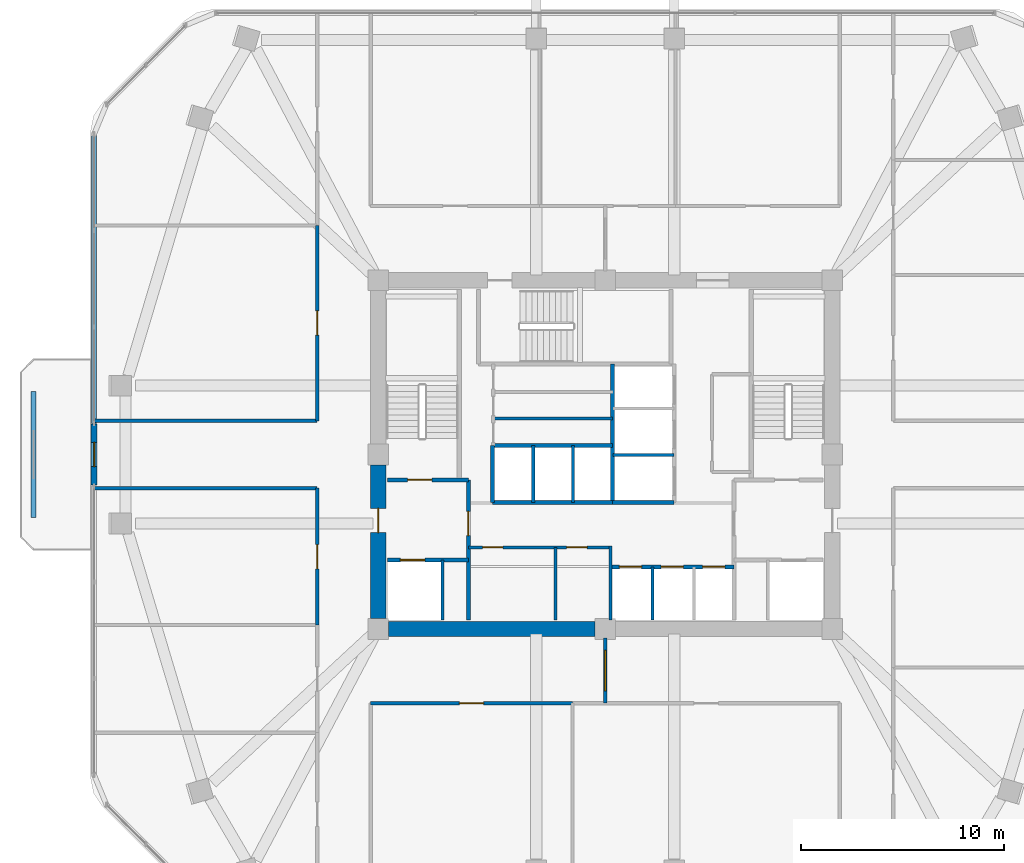
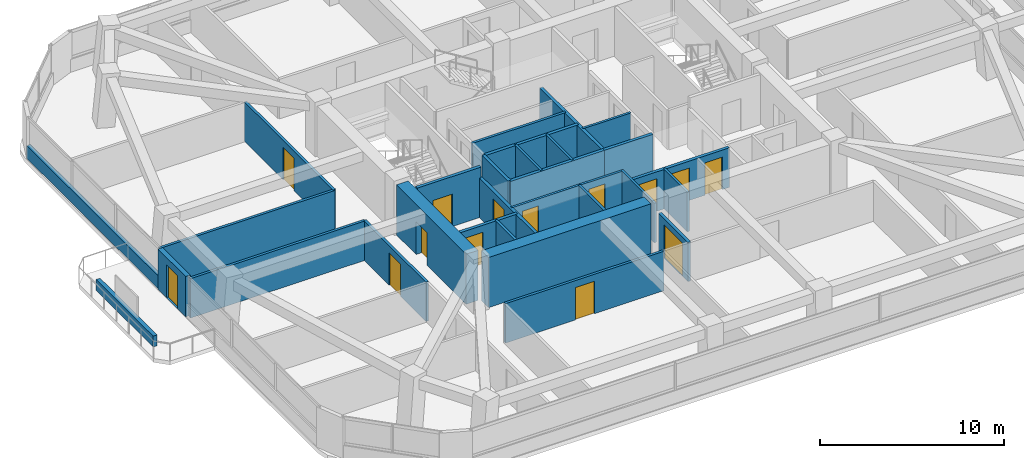
# One storey, part 10 of 14: 29 walls, 14 doors, 14 openings.
"""IFC4 building model written with IfcOpenShell, lengths in metres."""

import ifcopenshell
import ifcopenshell.guid

model = None  # the IFC model being written
_history = None  # IfcOwnerHistory: only IFC2X3 demands one
_inside = {}  # id of a spatial element -> (the spatial element, [elements in it])
_under = {}  # id of a project, library or spatial element -> (it, [spatial elements below it])
_declared = {}  # id of a project -> (the project, [libraries it declares])
_typed = {}  # id of a type object -> (the type object, [elements of that type])
_made_of = {}  # id of a material, layer set ... -> (it, [elements and type objects made of it])


def new_model(schema):
    """Start an empty IFC model of exactly this schema.

    Asked for "IFC4X3", IfcOpenShell would pick the latest addendum, in which some entities
    have other attributes; the version numbers below select the first issue.
    IFC2X3 requires an IfcOwnerHistory on every rooted entity: one is made here for all.
    """
    global model, _history
    if schema == "IFC4X3":
        model = ifcopenshell.file(schema_version=(4, 3, 0, 0))
    else:
        model = ifcopenshell.file(schema=schema)
    _inside.clear()
    _under.clear()
    _declared.clear()
    _typed.clear()
    _made_of.clear()
    _history = None
    if model.schema == "IFC2X3":
        org = make("IfcOrganization", Name="unknown")
        user = make(
            "IfcPersonAndOrganization",
            ThePerson=make("IfcPerson", FamilyName="unknown"),
            TheOrganization=org,
        )
        app = make(
            "IfcApplication",
            ApplicationDeveloper=org,
            Version="unknown",
            ApplicationFullName="unknown",
            ApplicationIdentifier="unknown",
        )
        _history = make(
            "IfcOwnerHistory",
            OwningUser=user,
            OwningApplication=app,
            ChangeAction="ADDED",
            CreationDate=0,
        )
    return model


def make(cls, **values):
    """One entity of the class cls with the attributes given. An attribute that is None is left unset."""
    return model.create_entity(
        cls, **{name: value for name, value in values.items() if value is not None}
    )


def rooted(cls, **values):
    """An entity with a GlobalId (a new one), such as an element, a storey or a relation."""
    return make(cls, GlobalId=ifcopenshell.guid.new(), OwnerHistory=_history, **values)


def si_unit(unit_type, name, prefix=None):
    """IfcSIUnit, for example si_unit("LENGTHUNIT", "METRE", prefix="MILLI")."""
    return make("IfcSIUnit", UnitType=unit_type, Prefix=prefix, Name=name)


def derived_unit(unit_type, elements):
    """IfcDerivedUnit: a product of units, each with its exponent."""
    return make(
        "IfcDerivedUnit",
        Elements=[
            make("IfcDerivedUnitElement", Unit=unit, Exponent=power)
            for unit, power in elements
        ],
        UnitType=unit_type,
    )


def assignment(units):
    """IfcUnitAssignment: the units of a project."""
    return None if units is None else make("IfcUnitAssignment", Units=units)


def point(xyz):
    """IfcCartesianPoint."""
    return None if xyz is None else make("IfcCartesianPoint", Coordinates=xyz)


def direction(xyz):
    """IfcDirection."""
    return None if xyz is None else make("IfcDirection", DirectionRatios=xyz)


def frame(location, z_axis=None, x_axis=None):
    """IfcAxis2Placement3D, a coordinate frame: its origin and axes. An axis left out is left unset."""
    return make(
        "IfcAxis2Placement3D",
        Location=point(location),
        Axis=direction(z_axis),
        RefDirection=direction(x_axis),
    )


def frame_2d(location, x_axis=None):
    """IfcAxis2Placement2D, a coordinate frame in the plane: its origin and x axis."""
    return make(
        "IfcAxis2Placement2D", Location=point(location), RefDirection=direction(x_axis)
    )


def origin():
    """The frame at (0, 0, 0) with its axes left unset."""
    return frame((0.0, 0.0, 0.0))


def place(relative_to, where):
    """IfcLocalPlacement: puts the frame where relative to a parent placement (None: the world)."""
    return make(
        "IfcLocalPlacement", PlacementRelTo=relative_to, RelativePlacement=where
    )


def context(
    kind, dimensions, precision=None, world=None, true_north=None, identifier=None
):
    """IfcGeometricRepresentationContext, for example the 3D "Model" context."""
    return make(
        "IfcGeometricRepresentationContext",
        ContextIdentifier=identifier,
        ContextType=kind,
        CoordinateSpaceDimension=dimensions,
        Precision=precision,
        WorldCoordinateSystem=world,
        TrueNorth=true_north,
    )


def subcontext(parent, identifier, kind, view, scale=None):
    """IfcGeometricRepresentationSubContext, for example "Body" below "Model"."""
    return make(
        "IfcGeometricRepresentationSubContext",
        ContextIdentifier=identifier,
        ContextType=kind,
        ParentContext=parent,
        TargetScale=scale,
        TargetView=view,
    )


def project(units=None, contexts=None):
    """IfcProject with its units and contexts."""
    return rooted(
        "IfcProject",
        Name="project",
        RepresentationContexts=contexts,
        UnitsInContext=assignment(units),
    )


def spatial(cls, under=None, at=None, **own):
    """A site, building, storey or space (cls), placed at a placement, below another one or the project."""
    s = rooted(cls, ObjectPlacement=at, **own)
    if under is not None:
        _under.setdefault(under.id(), (under, []))[1].append(s)
    return s


def profile(cls, at=None, kind="AREA", **sizes):
    """A parametric profile (cls). Its sizes go by their IFC names, for example OverallWidth=200.0."""
    return make(cls, ProfileType=kind, Position=at, **sizes)


def rectangle(**sizes):
    """IfcRectangleProfileDef."""
    return profile("IfcRectangleProfileDef", **sizes)


def extrude(swept, where, along, depth):
    """IfcExtrudedAreaSolid: the profile swept, set in the frame where, extruded along a direction by depth."""
    return make(
        "IfcExtrudedAreaSolid",
        SweptArea=swept,
        Position=where,
        ExtrudedDirection=direction(along),
        Depth=depth,
    )


def shape(context_of_items, identifier, shape_type, items):
    """IfcShapeRepresentation: the items that make up one representation, for example the "Body"."""
    return make(
        "IfcShapeRepresentation",
        ContextOfItems=context_of_items,
        RepresentationIdentifier=identifier,
        RepresentationType=shape_type,
        Items=items,
    )


def material(Name=None, Category=None):
    """IfcMaterial."""
    return make("IfcMaterial", Name=Name, Category=Category)


def layer(
    of_material, thickness, ventilated=None, Name=None, Category=None, Priority=None
):
    """IfcMaterialLayer: one layer of a wall or slab, of a material (None: an air gap)."""
    return make(
        "IfcMaterialLayer",
        Material=of_material,
        LayerThickness=thickness,
        IsVentilated=ventilated,
        Name=Name,
        Category=Category,
        Priority=Priority,
    )


def layer_set(layers, Name=None):
    """IfcMaterialLayerSet."""
    return make("IfcMaterialLayerSet", MaterialLayers=layers, LayerSetName=Name)


def made_of(thing, what):
    """Note that an element or type object is made of a material, layer set ...; save() writes the relation."""
    if what is not None:
        _made_of.setdefault(what.id(), (what, []))[1].append(thing)
    return thing


def type_object(cls, material=None, **own):
    """A type object (cls), such as IfcWallType, which elements share."""
    return made_of(rooted(cls, **own), material)


def element(
    cls,
    number,
    at=None,
    inside=None,
    cuts=None,
    type_object=None,
    material=None,
    context=None,
    identifier="Body",
    shape_type=None,
    held_by="IfcProductDefinitionShape",
    body=None,
    shapes=None,
    **own,
):
    """One element of the class cls, such as IfcWall. Its Tag is "e" and its number.

    at: its placement. inside: the storey or other place that contains it. cuts: it is an
    opening in that element (IfcRelVoidsElement). A single representation is given by context,
    identifier, shape_type and body (its items); several are given by shapes. held_by: the class
    of the entity that holds the representations. save() writes the other relations.
    """
    e = rooted(cls, Tag="e%d" % number, ObjectPlacement=at, **own)
    if body is not None:
        shapes = [shape(context, identifier, shape_type, body)]
    if shapes is not None:
        e.Representation = make(held_by, Representations=shapes)
    if inside is not None:
        _inside.setdefault(inside.id(), (inside, []))[1].append(e)
    if cuts is not None:
        rooted(
            "IfcRelVoidsElement", RelatingBuildingElement=cuts, RelatedOpeningElement=e
        )
    if type_object is not None:
        _typed.setdefault(type_object.id(), (type_object, []))[1].append(e)
    return made_of(e, material)


def fill(opening, filler):
    """IfcRelFillsElement: the door or window that sits in an opening."""
    return rooted(
        "IfcRelFillsElement",
        RelatingOpeningElement=opening,
        RelatedBuildingElement=filler,
    )


def aggregate(whole, parts):
    """IfcRelAggregates: a whole, such as a stair, and the parts it consists of."""
    return rooted("IfcRelAggregates", RelatingObject=whole, RelatedObjects=parts)


def save(model, path):
    """Write the relations noted so far, then the file.

    IfcRelAggregates (storeys below a building ...), IfcRelContainedInSpatialStructure (elements
    in a storey), IfcRelDefinesByType, IfcRelAssociatesMaterial and IfcRelDeclares: one each for
    every whole, place, type object, material and project.
    """
    for whole, parts in _under.values():
        aggregate(whole, parts)
    for where, things in _inside.values():
        rooted(
            "IfcRelContainedInSpatialStructure",
            RelatedElements=things,
            RelatingStructure=where,
        )
    for kind, things in _typed.values():
        rooted("IfcRelDefinesByType", RelatedObjects=things, RelatingType=kind)
    for what, things in _made_of.values():
        rooted("IfcRelAssociatesMaterial", RelatedObjects=things, RelatingMaterial=what)
    for by, libraries in _declared.values():
        rooted("IfcRelDeclares", RelatingContext=by, RelatedDefinitions=libraries)
    model.write(path)


model = new_model("IFC4")

# Units and contexts
model_context = context("Model", 3, precision=1e-05, world=origin(), true_north=direction((0.0, 1.0)))
body_context = subcontext(model_context, "Body", "Model", "MODEL_VIEW")
ifc_project = project(units=[si_unit("LENGTHUNIT", "METRE"), si_unit("AREAUNIT", "SQUARE_METRE"), si_unit("VOLUMEUNIT", "CUBIC_METRE"), si_unit("PLANEANGLEUNIT", "RADIAN"), si_unit("MASSUNIT", "GRAM", prefix="KILO"), derived_unit("THERMALTRANSMITTANCEUNIT", [(si_unit("POWERUNIT", "WATT"), 1), (si_unit("LENGTHUNIT", "METRE"), -2), (si_unit("THERMODYNAMICTEMPERATUREUNIT", "KELVIN"), -1)])], contexts=[model_context])

# Site, building, storey
site_placement = place(None, origin())
site = spatial("IfcSite", under=ifc_project, at=site_placement, CompositionType="ELEMENT")
building_placement = place(site_placement, origin())
building = spatial("IfcBuilding", under=site, at=building_placement, Name="Koralith Skygarden Medical Center", CompositionType="ELEMENT")
storey_placement = place(building_placement, frame((0.0, 0.0, 106.3798828125)))
storey = spatial("IfcBuildingStorey", under=building, at=storey_placement, Name="L27", CompositionType="ELEMENT", Elevation=106.3798828125)

# Wall, openings, doors
ifc_material_1 = material(Name="Gypsum Board Partition")
ifc_layer_1 = layer(ifc_material_1, 0.14990234375)
ifc_layer_set_1 = layer_set([ifc_layer_1], Name="Gypsum Board Partition")
wall_type_1 = type_object("IfcWallType", Name="Clinical Acoustic Partition 150", PredefinedType="PARTITIONING", material=ifc_layer_set_1)
wall_1_placement = place(storey_placement, frame((30.25, 21.320068359375, 0.0), z_axis=(0.0, 0.0, 1.0), x_axis=(1.0, 0.0, 0.0)))
wall_1 = element("IfcWall", 1, at=wall_1_placement, inside=storey, type_object=wall_type_1, Name="L27 Clinical Acoustic Partition 150 W-CORE-L27-FREED-LR-N", PredefinedType="PARTITIONING", context=body_context, shape_type="SweptSolid", body=[
    extrude(rectangle(XDim=7.0, YDim=0.14990234375, at=frame_2d((3.5, 0.0))), origin(), (0.0, 0.0, 1.0), 2.610107421875),
])
opening_1_placement = place(wall_1_placement, frame((0.699951171875, 0.0, 0.0)))
opening_1 = element("IfcOpeningElement", 2, at=opening_1_placement, cuts=wall_1, Name="Opening D-SUP", PredefinedType="OPENING", context=body_context, shape_type="SweptSolid", body=[
    extrude(rectangle(XDim=1.0, YDim=2.14990234375, at=frame_2d((0.5, 1.074951171875))), frame((0.0, 0.0849609375, 0.0), z_axis=(0.0, -1.0, 0.0), x_axis=(1.0, 0.0, 0.0)), (0.0, 0.0, 1.0), 0.169921875),
])
opening_2_placement = place(wall_1_placement, frame((4.85009765625, 0.0, 0.0)))
opening_2 = element("IfcOpeningElement", 3, at=opening_2_placement, cuts=wall_1, Name="Opening D-SUP", PredefinedType="OPENING", context=body_context, shape_type="SweptSolid", body=[
    extrude(rectangle(XDim=1.0, YDim=2.14990234375, at=frame_2d((0.5, 1.074951171875))), frame((0.0, 0.0849609375, 0.0), z_axis=(0.0, -1.0, 0.0), x_axis=(1.0, 0.0, 0.0)), (0.0, 0.0, 1.0), 0.169921875),
])
ifc_material_2 = material(Name="Aluminium 6063-T6", Category="aluminium")
door_type_1 = type_object("IfcDoorType", Name="Clinical Support Door D-SUP 1000", OperationType="NOTDEFINED", PredefinedType="DOOR", material=ifc_material_2)
door_1_placement = place(opening_1_placement, frame((1.0, 0.0, 0.0), z_axis=(0.0, 0.0, 1.0), x_axis=(-1.0, 0.0, 0.0)))
door_1 = element("IfcDoor", 4, at=door_1_placement, inside=storey, type_object=door_type_1, Name="L27 Medication Preparation Door", OperationType="SINGLE_SWING_LEFT", OverallHeight=2.14990234375, OverallWidth=1.0, PredefinedType="DOOR", context=body_context, shape_type="SweptSolid", body=[
    extrude(rectangle(XDim=1.0, YDim=2.14990234375, at=frame_2d((0.5, 1.074951171875))), frame((0.0, 0.02490234375, 0.0), z_axis=(0.0, -1.0, 0.0), x_axis=(1.0, 0.0, 0.0)), (0.0, 0.0, 1.0), 0.050048828125),
])
fill(opening_1, door_1)
door_2_placement = place(opening_2_placement, frame((1.0, 0.0, 0.0), z_axis=(0.0, 0.0, 1.0), x_axis=(-1.0, 0.0, 0.0)))
door_2 = element("IfcDoor", 5, at=door_2_placement, inside=storey, type_object=door_type_1, Name="L27 Telemetry Room Door", OperationType="SINGLE_SWING_RIGHT", OverallHeight=2.14990234375, OverallWidth=1.0, PredefinedType="DOOR", context=body_context, shape_type="SweptSolid", body=[
    extrude(rectangle(XDim=1.0, YDim=2.14990234375, at=frame_2d((0.5, 1.074951171875))), frame((0.0, 0.02490234375, 0.0), z_axis=(0.0, -1.0, 0.0), x_axis=(1.0, 0.0, 0.0)), (0.0, 0.0, 1.0), 0.050048828125),
])
fill(opening_2, door_2)

# Walls
wall_2_placement = place(storey_placement, frame((34.550048828125, 17.75, 0.0), z_axis=(0.0, 0.0, 1.0), x_axis=(0.0, 1.0, 0.0)))
element("IfcWall", 6, at=wall_2_placement, inside=storey, type_object=wall_type_1, Name="L27 Clinical Acoustic Partition 150 W-CORE-L27-FREED-LR-M", PredefinedType="PARTITIONING", context=body_context, shape_type="SweptSolid", body=[
    extrude(rectangle(XDim=3.570068359375, YDim=0.14990234375, at=frame_2d((1.78515625, 0.0))), origin(), (0.0, 0.0, 1.0), 2.610107421875),
])
ifc_layer_2 = layer(ifc_material_1, 0.1650390625)
ifc_layer_set_2 = layer_set([ifc_layer_2], Name="Gypsum Board Partition")
wall_type_2 = type_object("IfcWallType", Name="Clinical Corridor Partition 165", PredefinedType="PARTITIONING", material=ifc_layer_set_2)
for number, where, z_axis, x_axis, name in (
    (7, (11.81103515625, 24.239990234375, 0.0), (0.0, 0.0, 1.0), (1.0, 0.0, 0.0), "L27 Clinical Corridor Partition 165 W-HCOR-L27-EWS-W"),
    (8, (11.81103515625, 27.56005859375, 0.0), (0.0, 0.0, 1.0), (1.0, 0.0, 0.0), "L27 Clinical Corridor Partition 165 W-HCOR-L27-EWN-W"),
):
    element("IfcWall", number, at=place(storey_placement, frame(where, z_axis=z_axis, x_axis=x_axis)), inside=storey, type_object=wall_type_2, Name=name, PredefinedType="PARTITIONING", context=body_context, shape_type="SweptSolid", body=[
        extrude(rectangle(XDim=10.97900390625, YDim=0.1650390625, at=frame_2d((5.489501953125, 0.0))), origin(), (0.0, 0.0, 1.0), 2.610107421875),
    ])

# Wall, opening, door
wall_3_placement = place(storey_placement, frame((25.429931640625, 13.639892578125, 0.0), z_axis=(0.0, 0.0, 1.0), x_axis=(1.0, 0.0, 0.0)))
wall_3 = element("IfcWall", 9, at=wall_3_placement, inside=storey, type_object=wall_type_2, Name="L27 Clinical Corridor Partition 165 W-CORR-L27-S-01", PredefinedType="PARTITIONING", context=body_context, shape_type="SweptSolid", body=[
    extrude(rectangle(XDim=9.9521484375, YDim=0.1650390625, at=frame_2d((4.97607421875, 0.0))), origin(), (0.0, 0.0, 1.0), 2.610107421875),
])
opening_3_placement = place(wall_3_placement, frame((4.3759765625, 0.0, 0.0)))
opening_3 = element("IfcOpeningElement", 10, at=opening_3_placement, cuts=wall_3, Name="Opening D-CLN", PredefinedType="OPENING", context=body_context, shape_type="SweptSolid", body=[
    extrude(rectangle(XDim=1.199951171875, YDim=2.14990234375, at=frame_2d((0.60009765625, 1.074951171875))), frame((0.0, 0.092529296875, 0.0), z_axis=(0.0, -1.0, 0.0), x_axis=(1.0, 0.0, 0.0)), (0.0, 0.0, 1.0), 0.18505859375),
])
door_type_2 = type_object("IfcDoorType", Name="Clinical Corridor Door D-CLN 1200", OperationType="NOTDEFINED", PredefinedType="DOOR", material=ifc_material_2)
door_3_placement = place(opening_3_placement, frame((1.199951171875, 0.0, 0.0), z_axis=(0.0, 0.0, 1.0), x_axis=(-1.0, 0.0, 0.0)))
door_3 = element("IfcDoor", 11, at=door_3_placement, inside=storey, type_object=door_type_2, Name="L27 Clean Utility Supply Store 04 Door", OperationType="SINGLE_SWING_LEFT", OverallHeight=2.14990234375, OverallWidth=1.199951171875, PredefinedType="DOOR", context=body_context, shape_type="SweptSolid", body=[
    extrude(rectangle(XDim=1.199951171875, YDim=2.14990234375, at=frame_2d((0.60009765625, 1.074951171875))), frame((0.0, 0.02490234375, 0.0), z_axis=(0.0, -1.0, 0.0), x_axis=(1.0, 0.0, 0.0)), (0.0, 0.0, 1.0), 0.050048828125),
])
fill(opening_3, door_3)

wall_4_placement = place(storey_placement, frame((22.7900390625, 17.487060546875, 0.0), z_axis=(0.0, 0.0, 1.0), x_axis=(0.0, 1.0, 0.0)))
wall_4 = element("IfcWall", 12, at=wall_4_placement, inside=storey, type_object=wall_type_2, Name="L27 Clinical Corridor Partition 165 W-CORR-L27-WS-03", PredefinedType="PARTITIONING", context=body_context, shape_type="SweptSolid", body=[
    extrude(rectangle(XDim=6.7529296875, YDim=0.1650390625, at=frame_2d((3.37646484375, 0.0))), origin(), (0.0, 0.0, 1.0), 2.610107421875),
])
opening_4_placement = place(wall_4_placement, frame((2.77587890625, 0.0, 0.0)))
opening_4 = element("IfcOpeningElement", 13, at=opening_4_placement, cuts=wall_4, Name="Opening D-CLN", PredefinedType="OPENING", context=body_context, shape_type="SweptSolid", body=[
    extrude(rectangle(XDim=1.199951171875, YDim=2.14990234375, at=frame_2d((0.60009765625, 1.074951171875))), frame((0.0, 0.092529296875, 0.0), z_axis=(0.0, -1.0, 0.0), x_axis=(1.0, 0.0, 0.0)), (0.0, 0.0, 1.0), 0.18505859375),
])
door_4_placement = place(opening_4_placement, frame((1.199951171875, 0.0, 0.0), z_axis=(0.0, 0.0, 1.0), x_axis=(-1.0, 0.0, 0.0)))
door_4 = element("IfcDoor", 14, at=door_4_placement, inside=storey, type_object=door_type_2, Name="L27 Clean Utility Supply Store 08 Door", OperationType="SINGLE_SWING_LEFT", OverallHeight=2.14990234375, OverallWidth=1.199951171875, PredefinedType="DOOR", context=body_context, shape_type="SweptSolid", body=[
    extrude(rectangle(XDim=1.199951171875, YDim=2.14990234375, at=frame_2d((0.60009765625, 1.074951171875))), frame((0.0, 0.02490234375, 0.0), z_axis=(0.0, -1.0, 0.0), x_axis=(1.0, 0.0, 0.0)), (0.0, 0.0, 1.0), 0.050048828125),
])
fill(opening_4, door_4)

wall_5_placement = place(storey_placement, frame((22.7900390625, 27.56005859375, 0.0), z_axis=(0.0, 0.0, 1.0), x_axis=(0.0, 1.0, 0.0)))
wall_5 = element("IfcWall", 15, at=wall_5_placement, inside=storey, type_object=wall_type_2, Name="L27 Clinical Corridor Partition 165 W-CORR-L27-WN-01", PredefinedType="PARTITIONING", context=body_context, shape_type="SweptSolid", body=[
    extrude(rectangle(XDim=9.64697265625, YDim=0.1650390625, at=frame_2d((4.823486328125, 0.0))), origin(), (0.0, 0.0, 1.0), 2.610107421875),
])
opening_5_placement = place(wall_5_placement, frame((4.22412109375, 0.0, 0.0)))
opening_5 = element("IfcOpeningElement", 16, at=opening_5_placement, cuts=wall_5, Name="Opening D-CLN", PredefinedType="OPENING", context=body_context, shape_type="SweptSolid", body=[
    extrude(rectangle(XDim=1.199951171875, YDim=2.14990234375, at=frame_2d((0.60009765625, 1.074951171875))), frame((0.0, 0.092529296875, 0.0), z_axis=(0.0, -1.0, 0.0), x_axis=(1.0, 0.0, 0.0)), (0.0, 0.0, 1.0), 0.18505859375),
])
door_5_placement = place(opening_5_placement, frame((1.199951171875, 0.0, 0.0), z_axis=(0.0, 0.0, 1.0), x_axis=(-1.0, 0.0, 0.0)))
door_5 = element("IfcDoor", 17, at=door_5_placement, inside=storey, type_object=door_type_2, Name="L27 Tumor Board Conference Room 09 Door", OperationType="SINGLE_SWING_RIGHT", OverallHeight=2.14990234375, OverallWidth=1.199951171875, PredefinedType="DOOR", context=body_context, shape_type="SweptSolid", body=[
    extrude(rectangle(XDim=1.199951171875, YDim=2.14990234375, at=frame_2d((0.60009765625, 1.074951171875))), frame((0.0, 0.02490234375, 0.0), z_axis=(0.0, -1.0, 0.0), x_axis=(1.0, 0.0, 0.0)), (0.0, 0.0, 1.0), 0.050048828125),
])
fill(opening_5, door_5)

ifc_layer_3 = layer(ifc_material_1, 0.199951171875)
ifc_layer_set_3 = layer_set([ifc_layer_3], Name="Gypsum Board Partition")
wall_type_3 = type_object("IfcWallType", Name="Fire Shaft Wall 200", PredefinedType="SOLIDWALL", material=ifc_layer_set_3)
wall_6_placement = place(storey_placement, frame((26.25, 20.699951171875, 0.0), z_axis=(0.0, 0.0, 1.0), x_axis=(1.0, 0.0, 0.0)))
wall_6 = element("IfcWall", 18, at=wall_6_placement, inside=storey, type_object=wall_type_3, Name="L27 Fire Shaft Wall 200 W-CORE-L27-FF1-N", PredefinedType="SOLIDWALL", context=body_context, shape_type="SweptSolid", body=[
    extrude(rectangle(XDim=4.0, YDim=0.199951171875, at=frame_2d((2.0, 0.0))), origin(), (0.0, 0.0, 1.0), 2.610107421875),
])
opening_6_placement = place(wall_6_placement, frame((0.64990234375, 0.0, 0.0)))
opening_6 = element("IfcOpeningElement", 19, at=opening_6_placement, cuts=wall_6, Name="Opening LD-FF", PredefinedType="OPENING", context=body_context, shape_type="SweptSolid", body=[
    extrude(rectangle(XDim=1.199951171875, YDim=2.14990234375, at=frame_2d((0.60009765625, 1.074951171875))), frame((0.0, 0.10986328125, 0.0), z_axis=(0.0, -1.0, 0.0), x_axis=(1.0, 0.0, 0.0)), (0.0, 0.0, 1.0), 0.219970703125),
])
ifc_material_3 = material(Name="Steel ASTM A500 Grade C", Category="steel")
door_type_3 = type_object("IfcDoorType", Name="Fire Lift Sliding Landing Door LD-FF 1200", OperationType="NOTDEFINED", PredefinedType="DOOR", material=ifc_material_3)
door_6_placement = place(opening_6_placement, origin())
door_6 = element("IfcDoor", 20, at=door_6_placement, inside=storey, type_object=door_type_3, Name="L27 Fire Service Elevator FF1 Landing Door", OperationType="SLIDING_TO_LEFT", OverallHeight=2.14990234375, OverallWidth=1.199951171875, PredefinedType="DOOR", context=body_context, shape_type="SweptSolid", body=[
    extrude(rectangle(XDim=1.199951171875, YDim=2.14990234375, at=frame_2d((0.60009765625, 1.074951171875))), frame((0.0, 0.02490234375, 0.0), z_axis=(0.0, -1.0, 0.0), x_axis=(1.0, 0.0, 0.0)), (0.0, 0.0, 1.0), 0.050048828125),
])
fill(opening_6, door_6)

wall_7_placement = place(storey_placement, frame((30.25, 17.75, 0.0), z_axis=(0.0, 0.0, 1.0), x_axis=(0.0, 1.0, 0.0)))
wall_7 = element("IfcWall", 21, at=wall_7_placement, inside=storey, type_object=wall_type_3, Name="L27 Fire Shaft Wall 200 W-CORE-L27-FSAEW-E", PredefinedType="SOLIDWALL", context=body_context, shape_type="SweptSolid", body=[
    extrude(rectangle(XDim=6.89990234375, YDim=0.199951171875, at=frame_2d((3.449951171875, 0.0))), origin(), (0.0, 0.0, 1.0), 2.610107421875),
])
opening_7_placement = place(wall_7_placement, frame((4.14990234375, 0.0, 0.0)))
opening_7 = element("IfcOpeningElement", 22, at=opening_7_placement, cuts=wall_7, Name="Opening D-ST60", PredefinedType="OPENING", context=body_context, shape_type="SweptSolid", body=[
    extrude(rectangle(XDim=1.199951171875, YDim=2.14990234375, at=frame_2d((0.60009765625, 1.074951171875))), frame((0.0, 0.10986328125, 0.0), z_axis=(0.0, -1.0, 0.0), x_axis=(1.0, 0.0, 0.0)), (0.0, 0.0, 1.0), 0.219970703125),
])
door_type_4 = type_object("IfcDoorType", Name="Smokeproof Stair Fire Door FD60S 1200", OperationType="NOTDEFINED", PredefinedType="DOOR", material=ifc_material_3)
door_7_placement = place(opening_7_placement, origin())
door_7 = element("IfcDoor", 23, at=door_7_placement, inside=storey, type_object=door_type_4, Name="L27 West Firefighting Lobby Inner Fire Door", OperationType="SINGLE_SWING_LEFT", OverallHeight=2.14990234375, OverallWidth=1.199951171875, PredefinedType="DOOR", context=body_context, shape_type="SweptSolid", body=[
    extrude(rectangle(XDim=1.199951171875, YDim=2.14990234375, at=frame_2d((0.60009765625, 1.074951171875))), frame((0.0, 0.02490234375, 0.0), z_axis=(0.0, -1.0, 0.0), x_axis=(1.0, 0.0, 0.0)), (0.0, 0.0, 1.0), 0.050048828125),
])
fill(opening_7, door_7)

# Wall, openings, doors
wall_8_placement = place(storey_placement, frame((37.25, 20.360107421875, 0.0), z_axis=(0.0, 0.0, 1.0), x_axis=(1.0, 0.0, 0.0)))
wall_8 = element("IfcWall", 24, at=wall_8_placement, inside=storey, type_object=wall_type_3, Name="L27 Fire Shaft Wall 200 W-CORE-L27-PM-N", PredefinedType="SOLIDWALL", context=body_context, shape_type="SweptSolid", body=[
    extrude(rectangle(XDim=6.10009765625, YDim=0.199951171875, at=frame_2d((3.050048828125, 0.0))), origin(), (0.0, 0.0, 1.0), 2.610107421875),
])
opening_8_placement = place(wall_8_placement, frame((0.449951171875, 0.0, 0.0)))
opening_8 = element("IfcOpeningElement", 25, at=opening_8_placement, cuts=wall_8, Name="Opening LD-P", PredefinedType="OPENING", context=body_context, shape_type="SweptSolid", body=[
    extrude(rectangle(XDim=1.10009765625, YDim=2.14990234375, at=frame_2d((0.550048828125, 1.074951171875))), frame((0.0, 0.10986328125, 0.0), z_axis=(0.0, -1.0, 0.0), x_axis=(1.0, 0.0, 0.0)), (0.0, 0.0, 1.0), 0.219970703125),
])
opening_9_placement = place(wall_8_placement, frame((2.5, 0.0, 0.0)))
opening_9 = element("IfcOpeningElement", 26, at=opening_9_placement, cuts=wall_8, Name="Opening LD-P", PredefinedType="OPENING", context=body_context, shape_type="SweptSolid", body=[
    extrude(rectangle(XDim=1.10009765625, YDim=2.14990234375, at=frame_2d((0.550048828125, 1.074951171875))), frame((0.0, 0.10986328125, 0.0), z_axis=(0.0, -1.0, 0.0), x_axis=(1.0, 0.0, 0.0)), (0.0, 0.0, 1.0), 0.219970703125),
])
opening_10_placement = place(wall_8_placement, frame((4.550048828125, 0.0, 0.0)))
opening_10 = element("IfcOpeningElement", 27, at=opening_10_placement, cuts=wall_8, Name="Opening LD-P", PredefinedType="OPENING", context=body_context, shape_type="SweptSolid", body=[
    extrude(rectangle(XDim=1.10009765625, YDim=2.14990234375, at=frame_2d((0.550048828125, 1.074951171875))), frame((0.0, 0.10986328125, 0.0), z_axis=(0.0, -1.0, 0.0), x_axis=(1.0, 0.0, 0.0)), (0.0, 0.0, 1.0), 0.219970703125),
])
door_type_5 = type_object("IfcDoorType", Name="Passenger Lift Sliding Landing Door LD-P 1100", OperationType="NOTDEFINED", PredefinedType="DOOR", material=ifc_material_3)
door_8_placement = place(opening_8_placement, origin())
door_8 = element("IfcDoor", 28, at=door_8_placement, inside=storey, type_object=door_type_5, Name="L27 Passenger Elevator PM1 Landing Door", OperationType="SLIDING_TO_LEFT", OverallHeight=2.14990234375, OverallWidth=1.10009765625, PredefinedType="DOOR", context=body_context, shape_type="SweptSolid", body=[
    extrude(rectangle(XDim=1.10009765625, YDim=2.14990234375, at=frame_2d((0.550048828125, 1.074951171875))), frame((0.0, 0.02490234375, 0.0), z_axis=(0.0, -1.0, 0.0), x_axis=(1.0, 0.0, 0.0)), (0.0, 0.0, 1.0), 0.050048828125),
])
fill(opening_8, door_8)
door_9_placement = place(opening_9_placement, origin())
door_9 = element("IfcDoor", 29, at=door_9_placement, inside=storey, type_object=door_type_5, Name="L27 Passenger Elevator PM2 Landing Door", OperationType="SLIDING_TO_LEFT", OverallHeight=2.14990234375, OverallWidth=1.10009765625, PredefinedType="DOOR", context=body_context, shape_type="SweptSolid", body=[
    extrude(rectangle(XDim=1.10009765625, YDim=2.14990234375, at=frame_2d((0.550048828125, 1.074951171875))), frame((0.0, 0.02490234375, 0.0), z_axis=(0.0, -1.0, 0.0), x_axis=(1.0, 0.0, 0.0)), (0.0, 0.0, 1.0), 0.050048828125),
])
fill(opening_9, door_9)
door_10_placement = place(opening_10_placement, origin())
door_10 = element("IfcDoor", 30, at=door_10_placement, inside=storey, type_object=door_type_5, Name="L27 Passenger Elevator PM3 Landing Door", OperationType="SLIDING_TO_LEFT", OverallHeight=2.14990234375, OverallWidth=1.10009765625, PredefinedType="DOOR", context=body_context, shape_type="SweptSolid", body=[
    extrude(rectangle(XDim=1.10009765625, YDim=2.14990234375, at=frame_2d((0.550048828125, 1.074951171875))), frame((0.0, 0.02490234375, 0.0), z_axis=(0.0, -1.0, 0.0), x_axis=(1.0, 0.0, 0.0)), (0.0, 0.0, 1.0), 0.050048828125),
])
fill(opening_10, door_10)

# Walls
for number, where, z_axis, x_axis, name in (
    (31, (31.449951171875, 23.5400390625, 0.0), (0.0, 0.0, 1.0), (1.0, 0.0, 0.0), "L27 Fire Shaft Wall 200 W-CORE-L27-PH-S"),
    (32, (31.449951171875, 26.35009765625, 0.0), (0.0, 0.0, 1.0), (1.0, 0.0, 0.0), "L27 Fire Shaft Wall 200 W-CORE-L27-PH-N"),
):
    element("IfcWall", number, at=place(storey_placement, frame(where, z_axis=z_axis, x_axis=x_axis)), inside=storey, type_object=wall_type_3, Name=name, PredefinedType="SOLIDWALL", context=body_context, shape_type="SweptSolid", body=[
        extrude(rectangle(XDim=5.900146484375, YDim=0.199951171875, at=frame_2d((2.9501953125, 0.0))), origin(), (0.0, 0.0, 1.0), 2.610107421875),
    ])
wall_9_placement = place(storey_placement, frame((31.449951171875, 23.5400390625, 0.0), z_axis=(0.0, 0.0, 1.0), x_axis=(0.0, 1.0, 0.0)))
element("IfcWall", 33, at=wall_9_placement, inside=storey, type_object=wall_type_3, Name="L27 Fire Shaft Wall 200 W-CORE-L27-PH-W", PredefinedType="SOLIDWALL", context=body_context, shape_type="SweptSolid", body=[
    extrude(rectangle(XDim=2.81005859375, YDim=0.199951171875, at=frame_2d((1.405029296875, 0.0))), origin(), (0.0, 0.0, 1.0), 2.610107421875),
])
wall_10_placement = place(storey_placement, frame((37.35009765625, 23.5400390625, 0.0), z_axis=(0.0, 0.0, 1.0), x_axis=(0.0, 1.0, 0.0)))
element("IfcWall", 34, at=wall_10_placement, inside=storey, type_object=wall_type_3, Name="L27 Fire Shaft Wall 200 W-CORE-L27-SV-W", PredefinedType="SOLIDWALL", context=body_context, shape_type="SweptSolid", body=[
    extrude(rectangle(XDim=6.820068359375, YDim=0.199951171875, at=frame_2d((3.41015625, 0.0))), origin(), (0.0, 0.0, 1.0), 2.610107421875),
])
wall_11_placement = place(storey_placement, frame((37.35009765625, 23.5400390625, 0.0), z_axis=(0.0, 0.0, 1.0), x_axis=(1.0, 0.0, 0.0)))
element("IfcWall", 35, at=wall_11_placement, inside=storey, type_object=wall_type_3, Name="L27 Fire Shaft Wall 200 W-CORE-L27-SV-S", PredefinedType="SOLIDWALL", context=body_context, shape_type="SweptSolid", body=[
    extrude(rectangle(XDim=3.0498046875, YDim=0.199951171875, at=frame_2d((1.52490234375, 0.0))), origin(), (0.0, 0.0, 1.0), 2.610107421875),
])

# Wall, opening, door
ifc_layer_4 = layer(ifc_material_1, 0.179931640625)
ifc_layer_set_4 = layer_set([ifc_layer_4], Name="Gypsum Board Partition")
wall_type_4 = type_object("IfcWallType", Name="Group I-2 Smoke Barrier Wall 180", PredefinedType="PARTITIONING", material=ifc_layer_set_4)
wall_12_placement = place(storey_placement, frame((37.0, 13.639892578125, 0.0), z_axis=(0.0, 0.0, 1.0), x_axis=(0.0, 1.0, 0.0)))
wall_12 = element("IfcWall", 36, at=wall_12_placement, inside=storey, type_object=wall_type_4, Name="L27 Group I-2 Smoke Barrier Wall 180 W-SMK-L27-S", PredefinedType="PARTITIONING", context=body_context, shape_type="SweptSolid", body=[
    extrude(rectangle(XDim=3.210205078125, YDim=0.179931640625, at=frame_2d((1.60498046875, 0.0))), origin(), (0.0, 0.0, 1.0), 2.610107421875),
])
opening_11_placement = place(wall_12_placement, frame((0.60498046875, 0.0, 0.0)))
opening_11 = element("IfcOpeningElement", 37, at=opening_11_placement, cuts=wall_12, Name="Opening D-SMK", PredefinedType="OPENING", context=body_context, shape_type="SweptSolid", body=[
    extrude(rectangle(XDim=2.0, YDim=2.199951171875, at=frame_2d((1.0, 1.10009765625))), frame((0.0, 0.099853515625, 0.0), z_axis=(0.0, -1.0, 0.0), x_axis=(1.0, 0.0, 0.0)), (0.0, 0.0, 1.0), 0.199951171875),
])
door_type_6 = type_object("IfcDoorType", Name="Cross-Corridor Double Smoke Door FD60S 2000", OperationType="NOTDEFINED", PredefinedType="DOOR", material=ifc_material_3)
door_11_placement = place(opening_11_placement, frame((2.0, 0.0, 0.0), z_axis=(0.0, 0.0, 1.0), x_axis=(-1.0, 0.0, 0.0)))
door_11 = element("IfcDoor", 38, at=door_11_placement, inside=storey, type_object=door_type_6, Name="L27 S Smoke Compartment Cross-Corridor Door", OperationType="DOUBLE_DOOR_SINGLE_SWING", OverallHeight=2.199951171875, OverallWidth=2.0, PredefinedType="DOOR", context=body_context, shape_type="SweptSolid", body=[
    extrude(rectangle(XDim=2.0, YDim=2.199951171875, at=frame_2d((1.0, 1.10009765625))), frame((0.0, 0.02490234375, 0.0), z_axis=(0.0, -1.0, 0.0), x_axis=(1.0, 0.0, 0.0)), (0.0, 0.0, 1.0), 0.050048828125),
])
fill(opening_11, door_11)

# Walls
ifc_material_4 = material(Name="Warm Oolitic Limestone Cladding", Category="masonry")
ifc_layer_5 = layer(ifc_material_4, 0.239990234375)
ifc_layer_set_5 = layer_set([ifc_layer_5], Name="Warm Oolitic Limestone Cladding")
wall_type_5 = type_object("IfcWallType", Name="Limestone Spandrel Sill Backup Wall 240", PredefinedType="SOLIDWALL", material=ifc_layer_set_5)
wall_13_placement = place(storey_placement, frame((11.791015625, 41.701904296875, 0.0), z_axis=(0.0, 0.0, 1.0), x_axis=(0.0, -1.0, 0.0)))
element("IfcWall", 39, at=wall_13_placement, inside=storey, type_object=wall_type_5, Name="L27 Sill Spandrel W-L", PredefinedType="SOLIDWALL", context=body_context, shape_type="SweptSolid", body=[
    extrude(rectangle(XDim=14.261962890625, YDim=0.239990234375, at=frame_2d((7.130859375, 0.0))), origin(), (0.0, 0.0, 1.0), 0.85009765625),
])
ifc_material_5 = material(Name="Concrete C70/85", Category="concrete")
ifc_layer_6 = layer(ifc_material_5, 0.75)
ifc_layer_set_6 = layer_set([ifc_layer_6], Name="Concrete C70/85")
wall_type_6 = type_object("IfcWallType", Name="Mid Core Shear Wall 750", PredefinedType="SHEAR", material=ifc_layer_set_6)
wall_14_placement = place(storey_placement, frame((26.304931640625, 17.300048828125, 0.0), z_axis=(0.0, 0.0, 1.0), x_axis=(1.0, 0.0, 0.0)))
element("IfcWall", 40, at=wall_14_placement, inside=storey, type_object=wall_type_6, Name="L27 Core Shear Wall Segment 1", PredefinedType="SHEAR", context=body_context, shape_type="SweptSolid", body=[
    extrude(rectangle(XDim=10.190185546875, YDim=0.75, at=frame_2d((5.09521484375, 0.0))), origin(), (0.0, 0.0, 1.0), 3.320068359375),
])

# Wall, opening, door
wall_15_placement = place(storey_placement, frame((25.800048828125, 25.39501953125, 0.0), z_axis=(0.0, 0.0, 1.0), x_axis=(0.0, -1.0, 0.0)))
wall_15 = element("IfcWall", 41, at=wall_15_placement, inside=storey, type_object=wall_type_6, Name="L27 Core Shear Wall Segment 8", PredefinedType="SHEAR", context=body_context, shape_type="SweptSolid", body=[
    extrude(rectangle(XDim=7.590087890625, YDim=0.75, at=frame_2d((3.794921875, 0.0))), origin(), (0.0, 0.0, 1.0), 3.320068359375),
])
opening_12_placement = place(wall_15_placement, frame((2.14501953125, 0.0, 0.0)))
opening_12 = element("IfcOpeningElement", 42, at=opening_12_placement, cuts=wall_15, Name="Opening D-ST60", PredefinedType="OPENING", context=body_context, shape_type="SweptSolid", body=[
    extrude(rectangle(XDim=1.199951171875, YDim=2.14990234375, at=frame_2d((0.60009765625, 1.074951171875))), frame((0.0, 0.385009765625, 0.0), z_axis=(0.0, -1.0, 0.0), x_axis=(1.0, 0.0, 0.0)), (0.0, 0.0, 1.0), 0.77001953125),
])
door_12_placement = place(opening_12_placement, frame((1.199951171875, 0.0, 0.0), z_axis=(0.0, 0.0, 1.0), x_axis=(-1.0, 0.0, 0.0)))
door_12 = element("IfcDoor", 43, at=door_12_placement, inside=storey, type_object=door_type_4, Name="L27 West Corridor to Firefighting Lobby Door", OperationType="SINGLE_SWING_LEFT", OverallHeight=2.14990234375, OverallWidth=1.199951171875, PredefinedType="DOOR", context=body_context, shape_type="SweptSolid", body=[
    extrude(rectangle(XDim=1.199951171875, YDim=2.14990234375, at=frame_2d((0.60009765625, 1.074951171875))), frame((0.0, 0.02490234375, 0.0), z_axis=(0.0, -1.0, 0.0), x_axis=(1.0, 0.0, 0.0)), (0.0, 0.0, 1.0), 0.050048828125),
])
fill(opening_12, door_12)

ifc_layer_7 = layer(ifc_material_4, 0.300048828125)
ifc_layer_set_7 = layer_set([ifc_layer_7], Name="Warm Oolitic Limestone Cladding")
wall_type_7 = type_object("IfcWallType", Name="Oolitic Limestone Insulated Facade Wall 300", PredefinedType="SOLIDWALL", material=ifc_layer_set_7)
wall_16_placement = place(storey_placement, frame((11.791015625, 27.39990234375, 0.0), z_axis=(0.0, 0.0, 1.0), x_axis=(0.0, -1.0, 0.0)))
wall_16 = element("IfcWall", 44, at=wall_16_placement, inside=storey, type_object=wall_type_7, Name="L27 Terrace Portal Wall W", PredefinedType="SOLIDWALL", context=body_context, shape_type="SweptSolid", body=[
    extrude(rectangle(XDim=3.0, YDim=0.300048828125, at=frame_2d((1.5, 0.0))), origin(), (0.0, 0.0, 1.0), 2.670166015625),
])
opening_13_placement = place(wall_16_placement, frame((0.89990234375, 0.0, 0.0)))
opening_13 = element("IfcOpeningElement", 45, at=opening_13_placement, cuts=wall_16, Name="Opening D-BAL", PredefinedType="OPENING", context=body_context, shape_type="SweptSolid", body=[
    extrude(rectangle(XDim=1.199951171875, YDim=2.199951171875, at=frame_2d((0.60009765625, 1.10009765625))), frame((0.0, 0.159912109375, 0.0), z_axis=(0.0, -1.0, 0.0), x_axis=(1.0, 0.0, 0.0)), (0.0, 0.0, 1.0), 0.320068359375),
])
door_type_7 = type_object("IfcDoorType", Name="Planted Balcony Glazed Terrace Door D-BAL 1200", OperationType="NOTDEFINED", PredefinedType="DOOR", material=ifc_material_2)
door_13_placement = place(opening_13_placement, origin())
door_13 = element("IfcDoor", 46, at=door_13_placement, inside=storey, type_object=door_type_7, Name="L27 W Outdoor Terrace Access Door", OperationType="SINGLE_SWING_RIGHT", OverallHeight=2.199951171875, OverallWidth=1.199951171875, PredefinedType="DOOR", context=body_context, shape_type="SweptSolid", body=[
    extrude(rectangle(XDim=1.199951171875, YDim=2.199951171875, at=frame_2d((0.60009765625, 1.10009765625))), frame((0.0, 0.02490234375, 0.0), z_axis=(0.0, -1.0, 0.0), x_axis=(1.0, 0.0, 0.0)), (0.0, 0.0, 1.0), 0.050048828125),
])
fill(opening_13, door_13)

# Walls
ifc_layer_8 = layer(ifc_material_1, 0.1650390625)
ifc_layer_set_8 = layer_set([ifc_layer_8], Name="Gypsum Board Partition")
wall_type_8 = type_object("IfcWallType", Name="Plumbing Wet Wall 165", PredefinedType="PLUMBINGWALL", material=ifc_layer_set_8)
wall_17_placement = place(storey_placement, frame((31.47998046875, 27.679931640625, 0.0), z_axis=(0.0, 0.0, 1.0), x_axis=(1.0, 0.0, 0.0)))
element("IfcWall", 47, at=wall_17_placement, inside=storey, type_object=wall_type_8, Name="L27 Plumbing Wet Wall 165 W-CORE-L27-FLEX-H1A", PredefinedType="PLUMBINGWALL", context=body_context, shape_type="SweptSolid", body=[
    extrude(rectangle(XDim=5.8701171875, YDim=0.1650390625, at=frame_2d((2.93505859375, 0.0))), origin(), (0.0, 0.0, 1.0), 2.610107421875),
])
ifc_layer_9 = layer(ifc_material_1, 0.14990234375)
ifc_layer_set_9 = layer_set([ifc_layer_9], Name="Gypsum Board Partition")
wall_type_9 = type_object("IfcWallType", Name="Shaft Partition Wall 150", PredefinedType="PARTITIONING", material=ifc_layer_set_9)
wall_18_placement = place(storey_placement, frame((28.969970703125, 17.75, 0.0), z_axis=(0.0, 0.0, 1.0), x_axis=(0.0, 1.0, 0.0)))
element("IfcWall", 48, at=wall_18_placement, inside=storey, type_object=wall_type_9, Name="L27 Shaft Partition Wall 150 W-CORE-L27-RSRW-DIV", PredefinedType="PARTITIONING", context=body_context, shape_type="SweptSolid", body=[
    extrude(rectangle(XDim=2.949951171875, YDim=0.14990234375, at=frame_2d((1.47509765625, 0.0))), origin(), (0.0, 0.0, 1.0), 2.610107421875),
])
wall_19_placement = place(storey_placement, frame((39.320068359375, 17.75, 0.0), z_axis=(0.0, 0.0, 1.0), x_axis=(0.0, 1.0, 0.0)))
element("IfcWall", 49, at=wall_19_placement, inside=storey, type_object=wall_type_9, Name="L27 Shaft Partition Wall 150 W-CORE-L27-PM-D1", PredefinedType="PARTITIONING", context=body_context, shape_type="SweptSolid", body=[
    extrude(rectangle(XDim=2.610107421875, YDim=0.14990234375, at=frame_2d((1.30517578125, 0.0))), origin(), (0.0, 0.0, 1.0), 2.610107421875),
])
wall_20_placement = place(storey_placement, frame((37.25, 17.75, 0.0), z_axis=(0.0, 0.0, 1.0), x_axis=(0.0, 1.0, 0.0)))
element("IfcWall", 50, at=wall_20_placement, inside=storey, type_object=wall_type_9, Name="L27 Shaft Partition Wall 150 W-CORE-L27-PL-PM-SEP", PredefinedType="PARTITIONING", context=body_context, shape_type="SweptSolid", body=[
    extrude(rectangle(XDim=3.64990234375, YDim=0.14990234375, at=frame_2d((1.824951171875, 0.0))), origin(), (0.0, 0.0, 1.0), 2.610107421875),
])
for number, where, z_axis, x_axis, name in (
    (51, (33.449951171875, 23.5400390625, 0.0), (0.0, 0.0, 1.0), (0.0, 1.0, 0.0), "L27 Shaft Partition Wall 150 W-CORE-L27-PH-D1"),
    (52, (35.39990234375, 23.5400390625, 0.0), (0.0, 0.0, 1.0), (0.0, 1.0, 0.0), "L27 Shaft Partition Wall 150 W-CORE-L27-PH-D2"),
):
    element("IfcWall", number, at=place(storey_placement, frame(where, z_axis=z_axis, x_axis=x_axis)), inside=storey, type_object=wall_type_9, Name=name, PredefinedType="PARTITIONING", context=body_context, shape_type="SweptSolid", body=[
        extrude(rectangle(XDim=2.81005859375, YDim=0.14990234375, at=frame_2d((1.405029296875, 0.0))), origin(), (0.0, 0.0, 1.0), 2.610107421875),
    ])
wall_21_placement = place(storey_placement, frame((37.3701171875, 25.8701171875, 0.0), z_axis=(0.0, 0.0, 1.0), x_axis=(1.0, 0.0, 0.0)))
element("IfcWall", 53, at=wall_21_placement, inside=storey, type_object=wall_type_9, Name="L27 Shaft Partition Wall 150 W-CORE-L27-SV-D1", PredefinedType="PARTITIONING", context=body_context, shape_type="SweptSolid", body=[
    extrude(rectangle(XDim=3.009765625, YDim=0.14990234375, at=frame_2d((1.5048828125, 0.0))), origin(), (0.0, 0.0, 1.0), 2.610107421875),
])
ifc_material_6 = material(Name="Precast concrete C40/50", Category="concrete")
ifc_layer_10 = layer(ifc_material_6, 0.25)
ifc_layer_set_10 = layer_set([ifc_layer_10], Name="Precast concrete C40/50")
wall_type_10 = type_object("IfcWallType", Name="Structural Concrete Balcony Planter Kerb 250", PredefinedType="PARAPET", material=ifc_layer_set_10)
wall_22_placement = place(storey_placement, frame((8.81201171875, 22.800048828125, 0.0), z_axis=(0.0, 0.0, 1.0), x_axis=(0.0, 1.0, 0.0)))
element("IfcWall", 54, at=wall_22_placement, inside=storey, type_object=wall_type_10, Name="L27 W Structural Tree PLANTER Box", PredefinedType="PARAPET", context=body_context, shape_type="SweptSolid", body=[
    extrude(rectangle(XDim=6.199951171875, YDim=0.25, at=frame_2d((3.10009765625, 0.0))), origin(), (0.0, 0.0, 1.0), 0.72021484375),
])

# Wall, opening, door
ifc_material_7 = material(Name="Concrete C45/55", Category="concrete")
ifc_layer_11 = layer(ifc_material_7, 0.199951171875)
ifc_layer_set_11 = layer_set([ifc_layer_11], Name="Concrete C45/55")
wall_type_11 = type_object("IfcWallType", Name="Structural Stair Shaft Wall 200", PredefinedType="SHEAR", material=ifc_layer_set_11)
wall_23_placement = place(storey_placement, frame((26.25, 24.64990234375, 0.0), z_axis=(0.0, 0.0, 1.0), x_axis=(1.0, 0.0, 0.0)))
wall_23 = element("IfcWall", 55, at=wall_23_placement, inside=storey, type_object=wall_type_11, Name="L27 Structural Stair Shaft Wall 200 W-CORE-L27-ST1-S", PredefinedType="SHEAR", context=body_context, shape_type="SweptSolid", body=[
    extrude(rectangle(XDim=4.0, YDim=0.199951171875, at=frame_2d((2.0, 0.0))), origin(), (0.0, 0.0, 1.0), 3.320068359375),
])
opening_14_placement = place(wall_23_placement, frame((1.0, 0.0, 0.0)))
opening_14 = element("IfcOpeningElement", 56, at=opening_14_placement, cuts=wall_23, Name="Opening D-ST60", PredefinedType="OPENING", context=body_context, shape_type="SweptSolid", body=[
    extrude(rectangle(XDim=1.199951171875, YDim=2.14990234375, at=frame_2d((0.60009765625, 1.074951171875))), frame((0.0, 0.10986328125, 0.0), z_axis=(0.0, -1.0, 0.0), x_axis=(1.0, 0.0, 0.0)), (0.0, 0.0, 1.0), 0.219970703125),
])
door_14_placement = place(opening_14_placement, origin())
door_14 = element("IfcDoor", 57, at=door_14_placement, inside=storey, type_object=door_type_4, Name="L27 Exit Stair ST1 Fire Door", OperationType="SINGLE_SWING_LEFT", OverallHeight=2.14990234375, OverallWidth=1.199951171875, PredefinedType="DOOR", context=body_context, shape_type="SweptSolid", body=[
    extrude(rectangle(XDim=1.199951171875, YDim=2.14990234375, at=frame_2d((0.60009765625, 1.074951171875))), frame((0.0, 0.02490234375, 0.0), z_axis=(0.0, -1.0, 0.0), x_axis=(1.0, 0.0, 0.0)), (0.0, 0.0, 1.0), 0.050048828125),
])
fill(opening_14, door_14)

save(model, "model.ifc")
